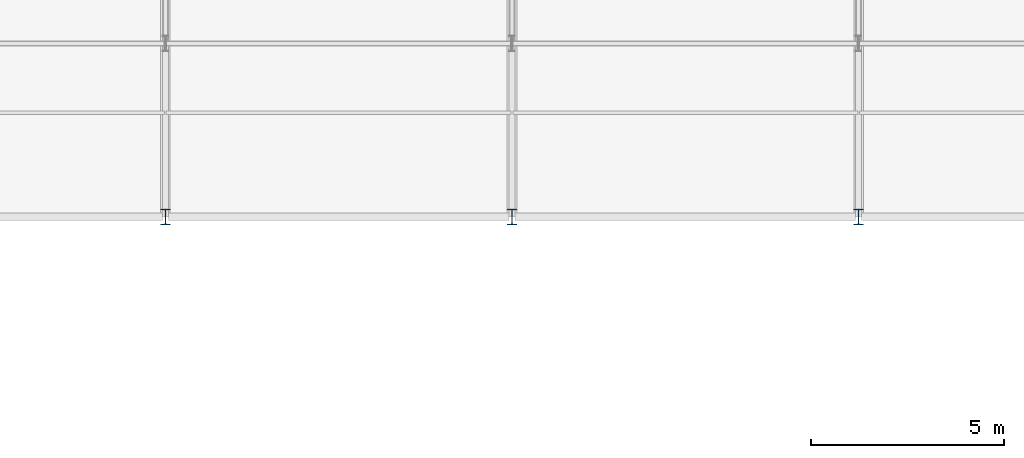
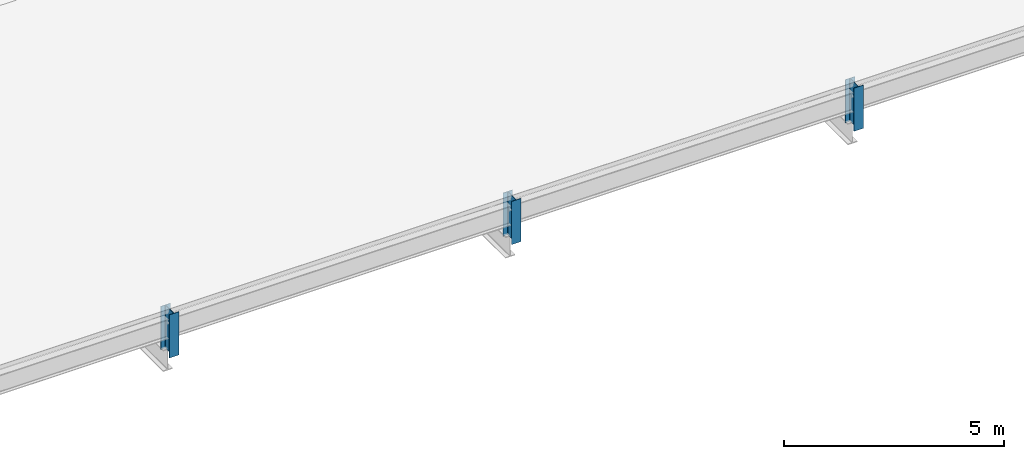
# One storey, part 5 of 163: 3 columns.
"""IFC4 building model written with IfcOpenShell, lengths in metres."""

from ifc_helpers import new_model, si_unit, direction, frame, origin, origin_2d, place, context, subcontext, project, spatial, i_section, extrude, material, material_profile, profile_set, type_object, element, save


model = new_model("IFC4")

# Units and contexts
model_context = context("Model", 3, precision=1e-05, world=origin(), true_north=direction((0.0, 1.0)))
body_context = subcontext(model_context, "Body", "Model", "MODEL_VIEW")
ifc_project = project(units=[si_unit("LENGTHUNIT", "METRE"), si_unit("AREAUNIT", "SQUARE_METRE"), si_unit("VOLUMEUNIT", "CUBIC_METRE"), si_unit("PLANEANGLEUNIT", "RADIAN"), si_unit("MASSUNIT", "GRAM", prefix="KILO")], contexts=[model_context])

# Site, building, storey
site_placement = place(None, origin())
site = spatial("IfcSite", under=ifc_project, at=site_placement, CompositionType="ELEMENT")
building_placement = place(site_placement, origin())
building = spatial("IfcBuilding", under=site, at=building_placement, Name="Tharagai Park Tramway Depot", CompositionType="ELEMENT")
storey_placement = place(building_placement, frame((0.0, 0.0, 8.39990234375)))
storey = spatial("IfcBuildingStorey", under=building, at=storey_placement, Name="L02", CompositionType="ELEMENT", Elevation=8.39990234375)

# Columns
ifc_material = material(Name="Steel E350", Category="steel")
ifc_material_profile = material_profile(ifc_material, i_section(OverallWidth=0.25, OverallDepth=0.39990234375, WebThickness=0.010498046875, FlangeThickness=0.0126953125, FilletRadius=0.013916015625, at=origin_2d()), Name="ISHB 400")
ifc_profile_set = profile_set([ifc_material_profile], Name="Steel E350")
column_type = type_object("IfcColumnType", Name="CL-06", PredefinedType="COLUMN", material=ifc_profile_set)
for number, where, z_axis, x_axis, name in (
    (1, (108.0, 90.0, 0.0), (0.0, 0.0, 1.0), (1.0, 0.0, 0.0), "Shed Roof Stanchion CL-06 (108,90)"),
    (2, (117.0, 90.0, 0.0), (0.0, 0.0, 1.0), (1.0, 0.0, 0.0), "Shed Roof Stanchion CL-06 (117,90)"),
    (3, (126.0, 90.0, 0.0), (0.0, 0.0, 1.0), (1.0, 0.0, 0.0), "Shed Roof Stanchion CL-06 (126,90)"),
):
    element("IfcColumn", number, at=place(storey_placement, frame(where, z_axis=z_axis, x_axis=x_axis)), inside=storey, type_object=column_type, Name=name, PredefinedType="COLUMN", context=body_context, shape_type="SweptSolid", body=[
        extrude(i_section(OverallWidth=0.25, OverallDepth=0.39990234375, WebThickness=0.010498046875, FlangeThickness=0.0126953125, FilletRadius=0.013916015625, at=origin_2d()), origin(), (0.0, 0.0, 1.0), 1.2001953125),
    ])

save(model, "model.ifc")
